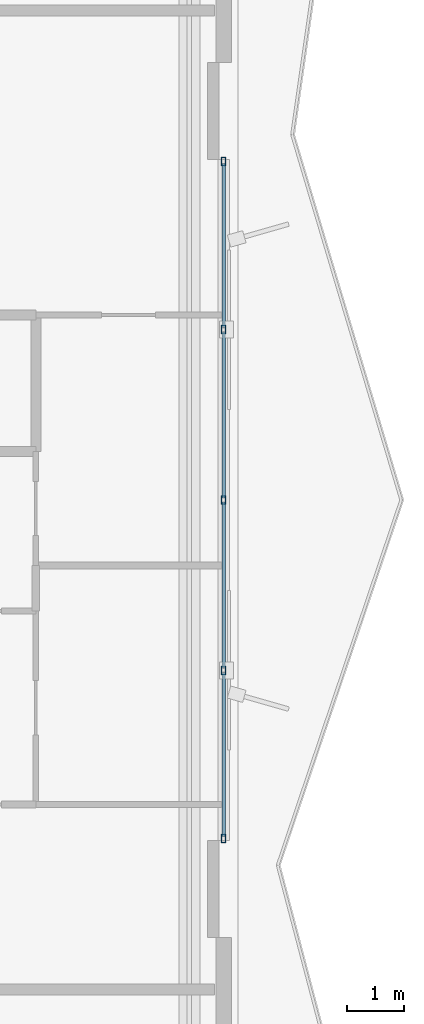
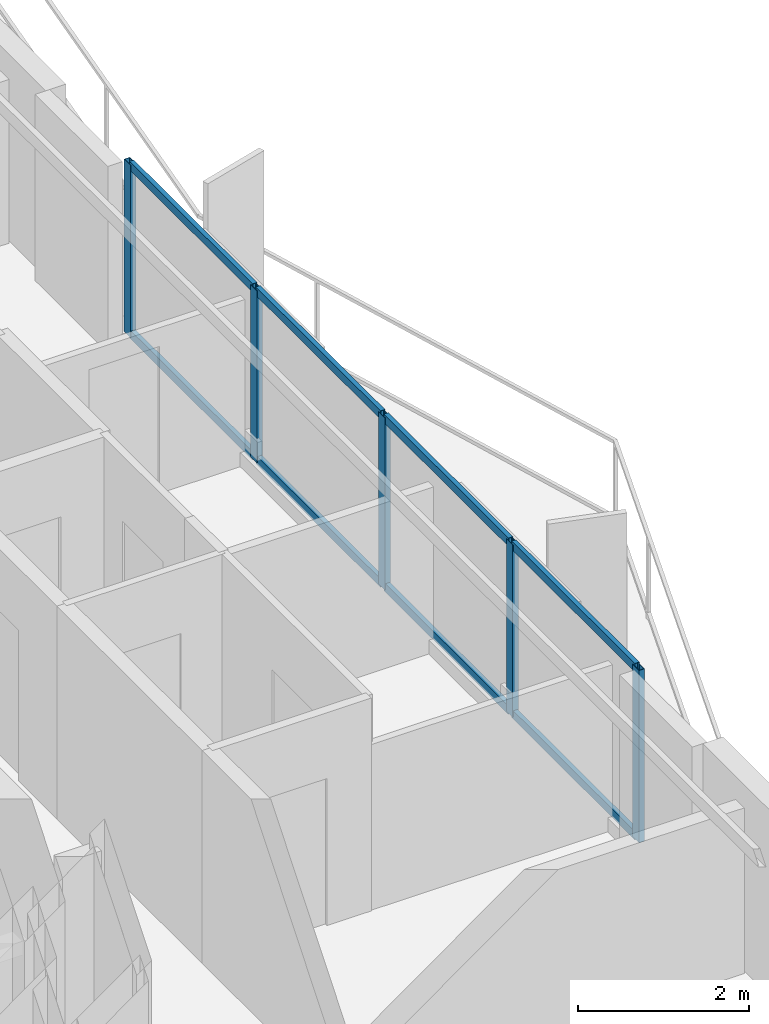
# One storey, part 6 of 19: 13 members, 1 element without a shape of its own.
"""IFC4 building model written with IfcOpenShell, lengths in metres."""

from ifc_helpers import new_model, si_unit, direction, frame, origin, origin_2d, place, context, subcontext, project, spatial, hollow_rectangle, extrude, material, layer, layer_set, material_profile, profile_set, type_object, element, aggregate, save


model = new_model("IFC4")

# Units and contexts
model_context = context("Model", 3, precision=1e-05, world=origin(), true_north=direction((0.0, 1.0)))
body_context = subcontext(model_context, "Body", "Model", "MODEL_VIEW")
ifc_project = project(units=[si_unit("LENGTHUNIT", "METRE"), si_unit("AREAUNIT", "SQUARE_METRE"), si_unit("VOLUMEUNIT", "CUBIC_METRE"), si_unit("PLANEANGLEUNIT", "RADIAN"), si_unit("MASSUNIT", "GRAM", prefix="KILO")], contexts=[model_context])

# Site, building, storey
site_placement = place(None, origin())
site = spatial("IfcSite", under=ifc_project, at=site_placement, CompositionType="ELEMENT")
building_placement = place(site_placement, origin())
building = spatial("IfcBuilding", under=site, at=building_placement, Name="Mersakhor Tower and Convention Hall", CompositionType="ELEMENT")
storey_placement = place(building_placement, frame((0.0, 0.0, 25.800048828125)))
storey = spatial("IfcBuildingStorey", under=building, at=storey_placement, Name="L06", CompositionType="ELEMENT", Elevation=25.800048828125)

# Curtain wall, members
ifc_material_1 = material(Name="Dark solar low-E aluminium curtain wall", Category="aluminium")
ifc_layer = layer(ifc_material_1, 0.159912109375)
ifc_layer_set = layer_set([ifc_layer], Name="Dark solar low-E aluminium curtain wall")
curtain_wall_type = type_object("IfcCurtainWallType", Name="CW-SYS-01", PredefinedType="USERDEFINED", material=ifc_layer_set)
curtain_wall_placement = place(storey_placement, origin())
curtain_wall = element("IfcCurtainWall", 1, at=curtain_wall_placement, inside=storey, type_object=curtain_wall_type, Name="L06 Dark-Glass Curtain Wall F2-B2", ObjectType="CURTAIN WALL", PredefinedType="USERDEFINED")
ifc_material_2 = material(Name="Anodised aluminium EN AW-6063 T6", Category="aluminium")
ifc_material_profile_1 = material_profile(ifc_material_2, hollow_rectangle(XDim=0.074951171875, YDim=0.14990234375, WallThickness=0.00634765625, at=origin_2d()), Name="RHS 150x75x6.3")
ifc_profile_set_1 = profile_set([ifc_material_profile_1], Name="Anodised aluminium EN AW-6063 T6")
member_type_1 = type_object("IfcMemberType", Name="CWM-150x75", PredefinedType="MULLION", material=ifc_profile_set_1)
member_1_placement = place(storey_placement, frame((43.85009765625, 32.69921875, 0.199951171875), z_axis=(0.0, 0.0, 1.0), x_axis=(1.0, 0.0, 0.0)))
member_1 = element("IfcMember", 2, at=member_1_placement, type_object=member_type_1, Name="CW-01 mullion 1", PredefinedType="MULLION", context=body_context, shape_type="SweptSolid", body=[
    extrude(hollow_rectangle(XDim=0.074951171875, YDim=0.14990234375, WallThickness=0.00634765625, at=origin_2d()), origin(), (0.0, 0.0, 1.0), 2.4599609375),
])
member_2_placement = place(storey_placement, frame((43.85009765625, 29.743408203125, 0.199951171875), z_axis=(0.0, 0.0, 1.0), x_axis=(1.0, 0.0, 0.0)))
member_2 = element("IfcMember", 3, at=member_2_placement, type_object=member_type_1, Name="CW-01 mullion 2", PredefinedType="MULLION", context=body_context, shape_type="SweptSolid", body=[
    extrude(hollow_rectangle(XDim=0.074951171875, YDim=0.14990234375, WallThickness=0.00634765625, at=origin_2d()), origin(), (0.0, 0.0, 1.0), 2.4599609375),
])
member_3_placement = place(storey_placement, frame((43.85009765625, 26.75, 0.199951171875), z_axis=(0.0, 0.0, 1.0), x_axis=(1.0, 0.0, 0.0)))
member_3 = element("IfcMember", 4, at=member_3_placement, type_object=member_type_1, Name="CW-01 mullion 3", PredefinedType="MULLION", context=body_context, shape_type="SweptSolid", body=[
    extrude(hollow_rectangle(XDim=0.074951171875, YDim=0.14990234375, WallThickness=0.00634765625, at=origin_2d()), origin(), (0.0, 0.0, 1.0), 2.4599609375),
])
member_4_placement = place(storey_placement, frame((43.85009765625, 23.756591796875, 0.199951171875), z_axis=(0.0, 0.0, 1.0), x_axis=(1.0, 0.0, 0.0)))
member_4 = element("IfcMember", 5, at=member_4_placement, type_object=member_type_1, Name="CW-01 mullion 4", PredefinedType="MULLION", context=body_context, shape_type="SweptSolid", body=[
    extrude(hollow_rectangle(XDim=0.074951171875, YDim=0.14990234375, WallThickness=0.00634765625, at=origin_2d()), origin(), (0.0, 0.0, 1.0), 2.4599609375),
])
member_5_placement = place(storey_placement, frame((43.85009765625, 20.80078125, 0.199951171875), z_axis=(0.0, 0.0, 1.0), x_axis=(1.0, 0.0, 0.0)))
member_5 = element("IfcMember", 6, at=member_5_placement, type_object=member_type_1, Name="CW-01 mullion 5", PredefinedType="MULLION", context=body_context, shape_type="SweptSolid", body=[
    extrude(hollow_rectangle(XDim=0.074951171875, YDim=0.14990234375, WallThickness=0.00634765625, at=origin_2d()), origin(), (0.0, 0.0, 1.0), 2.4599609375),
])
ifc_material_3 = material(Name="Anodised aluminium EN AW-6063 T6", Category="aluminium")
ifc_material_profile_2 = material_profile(ifc_material_3, hollow_rectangle(XDim=0.06005859375, YDim=0.1201171875, WallThickness=0.0048828125, at=origin_2d()), Name="RHS 120x60x5")
ifc_profile_set_2 = profile_set([ifc_material_profile_2], Name="Anodised aluminium EN AW-6063 T6")
member_type_2 = type_object("IfcMemberType", Name="CWT-120x60", PredefinedType="USERDEFINED", material=ifc_profile_set_2)
member_6_placement = place(storey_placement, frame((43.85009765625, 32.66162109375, 0.22998046875), z_axis=(0.0, -1.0, 0.0), x_axis=(1.0, 0.0, 0.0)))
member_6 = element("IfcMember", 7, at=member_6_placement, type_object=member_type_2, Name="CW-01 transom 1.1", ObjectType="TRANSOM", PredefinedType="USERDEFINED", context=body_context, shape_type="SweptSolid", body=[
    extrude(hollow_rectangle(XDim=0.06005859375, YDim=0.1201171875, WallThickness=0.0048828125, at=origin_2d()), origin(), (0.0, 0.0, 1.0), 2.880859375),
])
member_7_placement = place(storey_placement, frame((43.85009765625, 32.66162109375, 2.6298828125), z_axis=(0.0, -1.0, 0.0), x_axis=(1.0, 0.0, 0.0)))
member_7 = element("IfcMember", 8, at=member_7_placement, type_object=member_type_2, Name="CW-01 transom 1.2", ObjectType="TRANSOM", PredefinedType="USERDEFINED", context=body_context, shape_type="SweptSolid", body=[
    extrude(hollow_rectangle(XDim=0.06005859375, YDim=0.1201171875, WallThickness=0.0048828125, at=origin_2d()), origin(), (0.0, 0.0, 1.0), 2.880859375),
])
member_8_placement = place(storey_placement, frame((43.85009765625, 29.705810546875, 0.22998046875), z_axis=(0.0, -1.0, 0.0), x_axis=(1.0, 0.0, 0.0)))
member_8 = element("IfcMember", 9, at=member_8_placement, type_object=member_type_2, Name="CW-01 transom 2.1", ObjectType="TRANSOM", PredefinedType="USERDEFINED", context=body_context, shape_type="SweptSolid", body=[
    extrude(hollow_rectangle(XDim=0.06005859375, YDim=0.1201171875, WallThickness=0.0048828125, at=origin_2d()), origin(), (0.0, 0.0, 1.0), 2.918212890625),
])
member_9_placement = place(storey_placement, frame((43.85009765625, 29.705810546875, 2.6298828125), z_axis=(0.0, -1.0, 0.0), x_axis=(1.0, 0.0, 0.0)))
member_9 = element("IfcMember", 10, at=member_9_placement, type_object=member_type_2, Name="CW-01 transom 2.2", ObjectType="TRANSOM", PredefinedType="USERDEFINED", context=body_context, shape_type="SweptSolid", body=[
    extrude(hollow_rectangle(XDim=0.06005859375, YDim=0.1201171875, WallThickness=0.0048828125, at=origin_2d()), origin(), (0.0, 0.0, 1.0), 2.918212890625),
])
member_10_placement = place(storey_placement, frame((43.85009765625, 26.71240234375, 0.22998046875), z_axis=(0.0, -1.0, 0.0), x_axis=(1.0, 0.0, 0.0)))
member_10 = element("IfcMember", 11, at=member_10_placement, type_object=member_type_2, Name="CW-01 transom 3.1", ObjectType="TRANSOM", PredefinedType="USERDEFINED", context=body_context, shape_type="SweptSolid", body=[
    extrude(hollow_rectangle(XDim=0.06005859375, YDim=0.1201171875, WallThickness=0.0048828125, at=origin_2d()), origin(), (0.0, 0.0, 1.0), 2.918212890625),
])
member_11_placement = place(storey_placement, frame((43.85009765625, 26.71240234375, 2.6298828125), z_axis=(0.0, -1.0, 0.0), x_axis=(1.0, 0.0, 0.0)))
member_11 = element("IfcMember", 12, at=member_11_placement, type_object=member_type_2, Name="CW-01 transom 3.2", ObjectType="TRANSOM", PredefinedType="USERDEFINED", context=body_context, shape_type="SweptSolid", body=[
    extrude(hollow_rectangle(XDim=0.06005859375, YDim=0.1201171875, WallThickness=0.0048828125, at=origin_2d()), origin(), (0.0, 0.0, 1.0), 2.918212890625),
])
member_12_placement = place(storey_placement, frame((43.85009765625, 23.71923828125, 0.22998046875), z_axis=(0.0, -1.0, 0.0), x_axis=(1.0, 0.0, 0.0)))
member_12 = element("IfcMember", 13, at=member_12_placement, type_object=member_type_2, Name="CW-01 transom 4.1", ObjectType="TRANSOM", PredefinedType="USERDEFINED", context=body_context, shape_type="SweptSolid", body=[
    extrude(hollow_rectangle(XDim=0.06005859375, YDim=0.1201171875, WallThickness=0.0048828125, at=origin_2d()), origin(), (0.0, 0.0, 1.0), 2.880859375),
])
member_13_placement = place(storey_placement, frame((43.85009765625, 23.71923828125, 2.6298828125), z_axis=(0.0, -1.0, 0.0), x_axis=(1.0, 0.0, 0.0)))
member_13 = element("IfcMember", 14, at=member_13_placement, type_object=member_type_2, Name="CW-01 transom 4.2", ObjectType="TRANSOM", PredefinedType="USERDEFINED", context=body_context, shape_type="SweptSolid", body=[
    extrude(hollow_rectangle(XDim=0.06005859375, YDim=0.1201171875, WallThickness=0.0048828125, at=origin_2d()), origin(), (0.0, 0.0, 1.0), 2.880859375),
])
aggregate(curtain_wall, [member_1, member_2, member_3, member_4, member_5, member_6, member_7, member_8, member_9, member_10, member_11, member_12, member_13])

save(model, "model.ifc")
